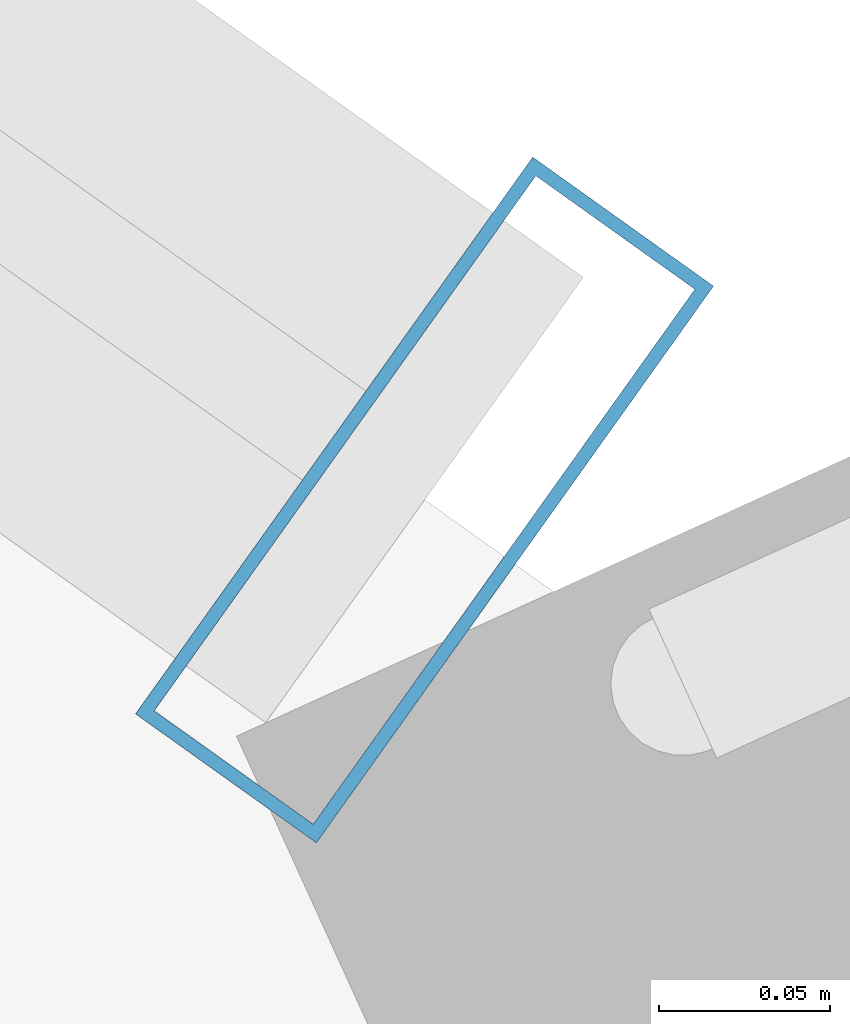
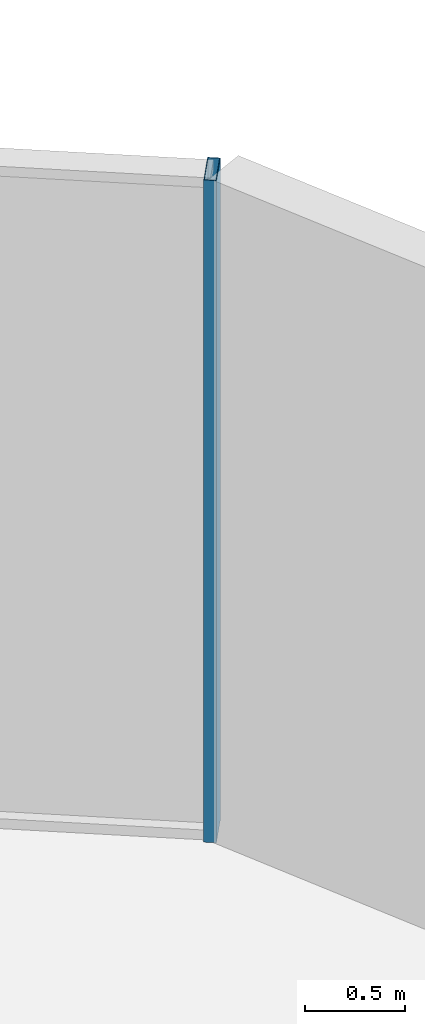
# One storey, part 14 of 25: 1 member, 1 element without a shape of its own.
"""IFC4 building model written with IfcOpenShell, lengths in metres."""

from ifc_helpers import new_model, si_unit, direction, frame, origin, origin_2d, place, context, subcontext, project, spatial, hollow_rectangle, extrude, source, transform, mapped, material, layer, layer_set, material_profile, profile_set, type_object, element, aggregate, save


model = new_model("IFC4")

# Units and contexts
model_context = context("Model", 3, precision=1e-05, world=origin(), true_north=direction((0.0, 1.0)))
body_context = subcontext(model_context, "Body", "Model", "MODEL_VIEW")
ifc_project = project(units=[si_unit("LENGTHUNIT", "METRE"), si_unit("AREAUNIT", "SQUARE_METRE"), si_unit("VOLUMEUNIT", "CUBIC_METRE"), si_unit("PLANEANGLEUNIT", "RADIAN"), si_unit("MASSUNIT", "GRAM", prefix="KILO")], contexts=[model_context])

# Site, building, storey
site_placement = place(None, origin())
site = spatial("IfcSite", under=ifc_project, at=site_placement, CompositionType="ELEMENT")
building_placement = place(site_placement, origin())
building = spatial("IfcBuilding", under=site, at=building_placement, Name="Veraguas Prism Commons", CompositionType="ELEMENT")
storey_placement = place(building_placement, frame((0.0, 0.0, 108.949951171875)))
storey = spatial("IfcBuildingStorey", under=building, at=storey_placement, Name="L30", CompositionType="ELEMENT", Elevation=108.949951171875)

# Curtain wall, member
ifc_material = material(Name="Anodised aluminium EN AW-6063 T6", Category="aluminium")
ifc_layer = layer(ifc_material, 0.199951171875, Name="Sky Lobby and Pool Acoustic Curtain Wall", Category="aluminium")
ifc_layer_set = layer_set([ifc_layer], Name="Anodised aluminium EN AW-6063 T6")
curtain_wall_type = type_object("IfcCurtainWallType", Name="Sky Lobby and Pool Acoustic Curtain Wall", PredefinedType="NOTDEFINED", material=ifc_layer_set)
curtain_wall_placement = place(storey_placement, origin())
curtain_wall = element("IfcCurtainWall", 1, at=curtain_wall_placement, inside=storey, type_object=curtain_wall_type, Name="Tower Facade Curtain Wall L30-F1", PredefinedType="NOTDEFINED")
ifc_material_profile = material_profile(ifc_material, hollow_rectangle(XDim=0.06494140625, YDim=0.199951171875, WallThickness=0.00390625, at=origin_2d()), Name="AL65X200X4")
ifc_profile_set = profile_set([ifc_material_profile], Name="Anodised aluminium EN AW-6063 T6")
member_type = type_object("IfcMemberType", Name="Curtain Wall Mullion Heavy AL 65x200x4", PredefinedType="MULLION", material=ifc_profile_set)
shared_shape = source(origin(), body_context, "Body", "SweptSolid", [
    extrude(hollow_rectangle(XDim=0.06494140625, YDim=0.199951171875, WallThickness=0.00390625, at=origin_2d()), origin(), (0.0, 0.0, 1.0), 4.050048828125),
])
member_placement = place(storey_placement, frame((42.128173828125, 34.631591796875, 0.0), z_axis=(0.0, 0.0, 1.0), x_axis=(-0.814114504837, 0.58070437661, 0.0)))
member = element("IfcMember", 2, at=member_placement, type_object=member_type, Name="CW-SKY Mullion 1", PredefinedType="MULLION", context=body_context, shape_type="MappedRepresentation", body=[
    mapped(shared_shape, transform((0.0, 0.0, 0.0), scale=1.0)),
])
aggregate(curtain_wall, [member])

save(model, "model.ifc")
